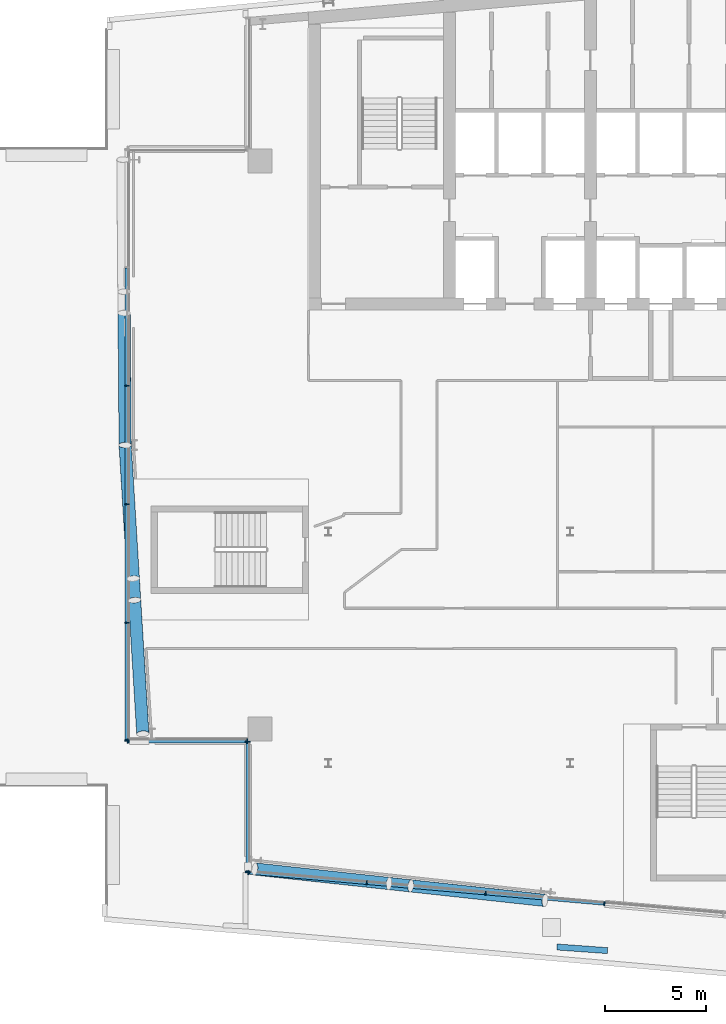
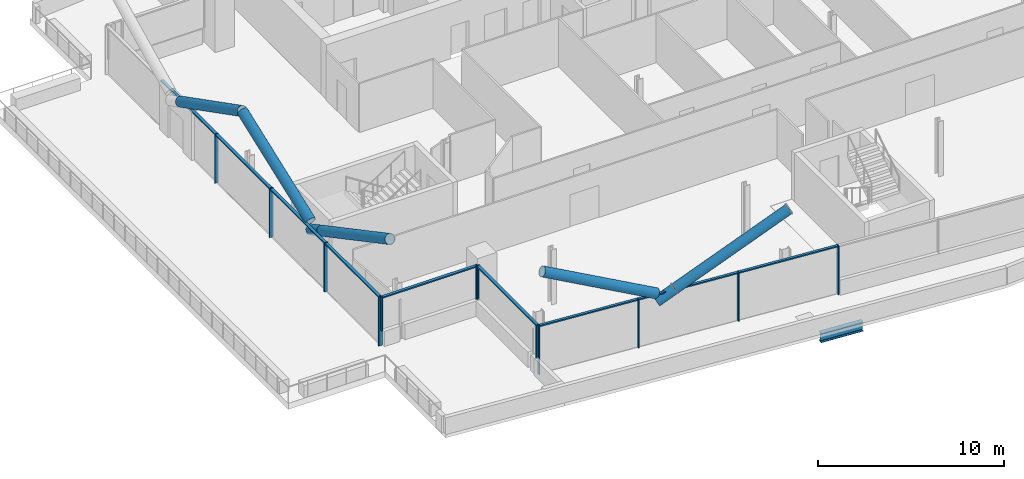
# One storey, part 5 of 27: 28 members, 1 beam, 4 elements without a shape of their own.
"""IFC4 building model written with IfcOpenShell, lengths in metres."""

from ifc_helpers import new_model, si_unit, direction, frame, origin, origin_2d, place, context, subcontext, project, spatial, rectangle, hollow_circle, i_section, extrude, material, material_profile, profile_set, type_object, element, aggregate, save


model = new_model("IFC4")

# Units and contexts
model_context = context("Model", 3, precision=1e-05, world=origin(), true_north=direction((0.0, 1.0)))
body_context = subcontext(model_context, "Body", "Model", "MODEL_VIEW")
ifc_project = project(units=[si_unit("LENGTHUNIT", "METRE"), si_unit("AREAUNIT", "SQUARE_METRE"), si_unit("VOLUMEUNIT", "CUBIC_METRE"), si_unit("PLANEANGLEUNIT", "RADIAN"), si_unit("MASSUNIT", "GRAM", prefix="KILO")], contexts=[model_context])

# Site, building, storey
site_placement = place(None, origin())
site = spatial("IfcSite", under=ifc_project, at=site_placement, CompositionType="ELEMENT")
building_placement = place(site_placement, origin())
building = spatial("IfcBuilding", under=site, at=building_placement, Name="Wharfspan Tower", CompositionType="ELEMENT")
storey_placement = place(building_placement, frame((0.0, 0.0, 207.100098)))
storey = spatial("IfcBuildingStorey", under=building, at=storey_placement, Name="L51", CompositionType="ELEMENT", Elevation=207.100098)

# Members
ifc_material_1 = material(Name="Steel S460NH", Category="steel")
ifc_material_profile_1 = material_profile(ifc_material_1, hollow_circle(Radius=0.304932, WallThickness=0.024902, at=origin_2d()))
ifc_profile_set_1 = profile_set([ifc_material_profile_1], Name="Steel S460NH")
member_type_1 = type_object("IfcMemberType", Name="Brace node tie CHS 610x25", PredefinedType="STRUT", material=ifc_profile_set_1)
member_1_placement = place(storey_placement, frame((27.014404, 5.527344, 2.633301), z_axis=(0.890134, -0.096457, 0.445373), x_axis=(0.107734, 0.994183, -4e-06)))
element("IfcMember", 1, at=member_1_placement, inside=storey, type_object=member_type_1, Name="Brace node tie L51 S1", PredefinedType="STRUT", context=body_context, shape_type="SweptSolid", body=[
    extrude(hollow_circle(Radius=0.304932, WallThickness=0.024902, at=origin_2d()), origin(), (0.0, 0.0, 1.0), 1.197266),
])
member_2_placement = place(storey_placement, frame((14.311523, 20.661621, 2.633789), z_axis=(0.054472, -0.892317, 0.448111), x_axis=(0.99814, 0.06093, -4e-06)))
element("IfcMember", 2, at=member_2_placement, inside=storey, type_object=member_type_1, Name="Brace node tie L51 W4", PredefinedType="STRUT", context=body_context, shape_type="SweptSolid", body=[
    extrude(hollow_circle(Radius=0.304932, WallThickness=0.024902, at=origin_2d()), origin(), (0.0, 0.0, 1.0), 1.187744),
])

# Beam
ifc_material_2 = material(Name="Steel S355J2", Category="steel")
ifc_material_profile_2 = material_profile(ifc_material_2, i_section(OverallWidth=0.300049, OverallDepth=0.600098, WebThickness=0.015381, FlangeThickness=0.030029, FilletRadius=0.0271, at=origin_2d()))
ifc_profile_set_2 = profile_set([ifc_material_profile_2], Name="Steel S355J2")
beam_type = type_object("IfcBeamType", Name="Edge beam HEB 600", PredefinedType="SPANDREL", material=ifc_profile_set_2)
beam_placement = place(storey_placement, frame((35.344482, 2.376709, -0.700195), z_axis=(0.997423, -0.07175, 0.0), x_axis=(0.07175, 0.997423, 0.0)))
element("IfcBeam", 3, at=beam_placement, inside=storey, type_object=beam_type, Name="Edge beam S1 L51 PS1.3.S to PS1.4.S", PredefinedType="SPANDREL", context=body_context, shape_type="SweptSolid", body=[
    extrude(i_section(OverallWidth=0.300049, OverallDepth=0.600098, WebThickness=0.015381, FlangeThickness=0.030029, FilletRadius=0.0271, at=origin_2d()), origin(), (0.0, 0.0, 1.0), 2.518066),
])

# Curtain wall, members
ifc_material_3 = material(Name="Aluminium 6063-T6", Category="aluminium")
curtain_wall_type_1 = type_object("IfcCurtainWallType", Name="CURTAIN WALL FACETED FRONT", PredefinedType="NOTDEFINED", material=ifc_material_3)
curtain_wall_1_placement = place(storey_placement, origin())
curtain_wall_1 = element("IfcCurtainWall", 4, at=curtain_wall_1_placement, inside=storey, type_object=curtain_wall_type_1, Name="Curtain wall S1", PredefinedType="NOTDEFINED")
ifc_material_profile_3 = material_profile(ifc_material_3, rectangle(XDim=0.199951, YDim=0.060059, at=origin_2d()))
ifc_profile_set_3 = profile_set([ifc_material_profile_3], Name="Aluminium 6063-T6")
member_type_2 = type_object("IfcMemberType", Name="MULLION FACETED FRONT 60x200", PredefinedType="MULLION", material=ifc_profile_set_3)
member_3_placement = place(storey_placement, frame((20.029785, 6.07251, 0.0), z_axis=(0.0, 0.0, 1.0), x_axis=(0.087156, 0.996197, 0.0)))
member_3 = element("IfcMember", 5, at=member_3_placement, type_object=member_type_2, Name="Curtain wall S1 mullion 1", PredefinedType="MULLION", context=body_context, shape_type="SweptSolid", body=[
    extrude(rectangle(XDim=0.199951, YDim=0.060059, at=origin_2d()), origin(), (0.0, 0.0, 1.0), 3.199951),
])
member_4_placement = place(storey_placement, frame((25.899902, 5.558838, 0.0), z_axis=(0.0, 0.0, 1.0), x_axis=(0.087156, 0.996197, 0.0)))
member_4 = element("IfcMember", 6, at=member_4_placement, type_object=member_type_2, Name="Curtain wall S1 mullion 2", PredefinedType="MULLION", context=body_context, shape_type="SweptSolid", body=[
    extrude(rectangle(XDim=0.199951, YDim=0.060059, at=origin_2d()), origin(), (0.0, 0.0, 1.0), 3.199951),
])
member_5_placement = place(storey_placement, frame((31.800049, 5.042725, 0.0), z_axis=(0.0, 0.0, 1.0), x_axis=(0.087156, 0.996197, 0.0)))
member_5 = element("IfcMember", 7, at=member_5_placement, type_object=member_type_2, Name="Curtain wall S1 mullion 3", PredefinedType="MULLION", context=body_context, shape_type="SweptSolid", body=[
    extrude(rectangle(XDim=0.199951, YDim=0.060059, at=origin_2d()), origin(), (0.0, 0.0, 1.0), 3.199951),
])
member_6_placement = place(storey_placement, frame((37.699951, 4.526611, 0.0), z_axis=(0.0, 0.0, 1.0), x_axis=(0.087156, 0.996197, 0.0)))
member_6 = element("IfcMember", 8, at=member_6_placement, type_object=member_type_2, Name="Curtain wall S1 mullion 4", PredefinedType="MULLION", context=body_context, shape_type="SweptSolid", body=[
    extrude(rectangle(XDim=0.199951, YDim=0.060059, at=origin_2d()), origin(), (0.0, 0.0, 1.0), 3.199951),
])

curtain_wall_type_2 = type_object("IfcCurtainWallType", Name="CURTAIN WALL PROW AND END", PredefinedType="NOTDEFINED", material=ifc_material_3)
curtain_wall_2_placement = place(storey_placement, origin())
curtain_wall_2 = element("IfcCurtainWall", 9, at=curtain_wall_2_placement, inside=storey, type_object=curtain_wall_type_2, Name="Curtain wall W", PredefinedType="NOTDEFINED")
ifc_material_profile_4 = material_profile(ifc_material_3, rectangle(XDim=0.23999, YDim=0.060059, at=origin_2d()))
ifc_profile_set_4 = profile_set([ifc_material_profile_4], Name="Aluminium 6063-T6")
member_type_3 = type_object("IfcMemberType", Name="MULLION PROW AND END 60x240", PredefinedType="MULLION", material=ifc_profile_set_4)
member_7_placement = place(storey_placement, frame((14.0, 30.23999, 0.0), z_axis=(0.0, 0.0, 1.0), x_axis=(1.0, 0.0, 0.0)))
member_7 = element("IfcMember", 10, at=member_7_placement, type_object=member_type_3, Name="Curtain wall W mullion 3", PredefinedType="MULLION", context=body_context, shape_type="SweptSolid", body=[
    extrude(rectangle(XDim=0.23999, YDim=0.060059, at=origin_2d()), origin(), (0.0, 0.0, 1.0), 3.199951),
])
member_8_placement = place(storey_placement, frame((14.0, 24.360107, 0.0), z_axis=(0.0, 0.0, 1.0), x_axis=(1.0, 0.0, 0.0)))
member_8 = element("IfcMember", 11, at=member_8_placement, type_object=member_type_3, Name="Curtain wall W mullion 4", PredefinedType="MULLION", context=body_context, shape_type="SweptSolid", body=[
    extrude(rectangle(XDim=0.23999, YDim=0.060059, at=origin_2d()), origin(), (0.0, 0.0, 1.0), 3.199951),
])
member_9_placement = place(storey_placement, frame((14.0, 18.47998, 0.0), z_axis=(0.0, 0.0, 1.0), x_axis=(1.0, 0.0, 0.0)))
member_9 = element("IfcMember", 12, at=member_9_placement, type_object=member_type_3, Name="Curtain wall W mullion 5", PredefinedType="MULLION", context=body_context, shape_type="SweptSolid", body=[
    extrude(rectangle(XDim=0.23999, YDim=0.060059, at=origin_2d()), origin(), (0.0, 0.0, 1.0), 3.199951),
])
member_10_placement = place(storey_placement, frame((14.0, 12.629883, 0.0), z_axis=(0.0, 0.0, 1.0), x_axis=(1.0, 0.0, 0.0)))
member_10 = element("IfcMember", 13, at=member_10_placement, type_object=member_type_3, Name="Curtain wall W mullion 6", PredefinedType="MULLION", context=body_context, shape_type="SweptSolid", body=[
    extrude(rectangle(XDim=0.23999, YDim=0.060059, at=origin_2d()), origin(), (0.0, 0.0, 1.0), 3.199951),
])

curtain_wall_3_placement = place(storey_placement, origin())
curtain_wall_3 = element("IfcCurtainWall", 14, at=curtain_wall_3_placement, inside=storey, type_object=curtain_wall_type_2, Name="Curtain wall NFW-H", PredefinedType="NOTDEFINED")
member_11_placement = place(storey_placement, frame((14.030029, 12.600098, 1.0), z_axis=(0.0, 0.0, 1.0), x_axis=(0.0, 1.0, 0.0)))
member_11 = element("IfcMember", 15, at=member_11_placement, type_object=member_type_3, Name="Curtain wall NFW-H mullion 1", PredefinedType="MULLION", context=body_context, shape_type="SweptSolid", body=[
    extrude(rectangle(XDim=0.23999, YDim=0.060059, at=origin_2d()), origin(), (0.0, 0.0, 1.0), 2.199951),
])
member_12_placement = place(storey_placement, frame((19.969971, 12.600098, 1.0), z_axis=(0.0, 0.0, 1.0), x_axis=(0.0, 1.0, 0.0)))
member_12 = element("IfcMember", 16, at=member_12_placement, type_object=member_type_3, Name="Curtain wall NFW-H mullion 2", PredefinedType="MULLION", context=body_context, shape_type="SweptSolid", body=[
    extrude(rectangle(XDim=0.23999, YDim=0.060059, at=origin_2d()), origin(), (0.0, 0.0, 1.0), 2.199951),
])

curtain_wall_4_placement = place(storey_placement, origin())
curtain_wall_4 = element("IfcCurtainWall", 17, at=curtain_wall_4_placement, inside=storey, type_object=curtain_wall_type_2, Name="Curtain wall NFW-V", PredefinedType="NOTDEFINED")
member_13_placement = place(storey_placement, frame((20.0, 12.570068, 1.0), z_axis=(0.0, 0.0, 1.0), x_axis=(1.0, 0.0, 0.0)))
member_13 = element("IfcMember", 18, at=member_13_placement, type_object=member_type_3, Name="Curtain wall NFW-V mullion 1", PredefinedType="MULLION", context=body_context, shape_type="SweptSolid", body=[
    extrude(rectangle(XDim=0.23999, YDim=0.060059, at=origin_2d()), origin(), (0.0, 0.0, 1.0), 2.199951),
])
member_14_placement = place(storey_placement, frame((20.0, 6.10498, 1.0), z_axis=(0.0, 0.0, 1.0), x_axis=(1.0, 0.0, 0.0)))
member_14 = element("IfcMember", 19, at=member_14_placement, type_object=member_type_3, Name="Curtain wall NFW-V mullion 2", PredefinedType="MULLION", context=body_context, shape_type="SweptSolid", body=[
    extrude(rectangle(XDim=0.23999, YDim=0.060059, at=origin_2d()), origin(), (0.0, 0.0, 1.0), 2.199951),
])

# Members
ifc_material_profile_5 = material_profile(ifc_material_1, hollow_circle(Radius=0.304932, WallThickness=0.024902, at=origin_2d()))
ifc_profile_set_5 = profile_set([ifc_material_profile_5], Name="Steel S460NH")
member_type_4 = type_object("IfcMemberType", Name="Mega brace CHS 610x25", PredefinedType="BRACE", material=ifc_profile_set_5)
for number, where, z_axis, x_axis, name in (
    (20, (28.088867, 5.410889, 3.170898), (0.890113, -0.096459, 0.445416), (0.107734, 0.994176, 4e-06), "Mega brace S1 L51 part 2"),
    (21, (27.005371, 5.52832, 3.170898), (-0.890113, 0.096459, 0.445416), (-0.107734, -0.994176, 4e-06), "Mega brace S1 L51 part 4"),
):
    element("IfcMember", number, at=place(storey_placement, frame(where, z_axis=z_axis, x_axis=x_axis)), inside=storey, type_object=member_type_4, Name=name, PredefinedType="BRACE", context=body_context, shape_type="SweptSolid", body=[
        extrude(hollow_circle(Radius=0.304932, WallThickness=0.024902, at=origin_2d()), origin(), (0.0, 0.0, 1.0), 7.474121),
    ])
member_15_placement = place(storey_placement, frame((13.853271, 33.849121, 3.169678), z_axis=(0.007044, -0.891347, 0.453266), x_axis=(0.999973, 0.007904, 3e-06)))
element("IfcMember", 22, at=member_15_placement, inside=storey, type_object=member_type_4, Name="Mega brace W3 L51 part 2", PredefinedType="BRACE", context=body_context, shape_type="SweptSolid", body=[
    extrude(hollow_circle(Radius=0.304932, WallThickness=0.024902, at=origin_2d()), origin(), (0.0, 0.0, 1.0), 7.347412),
])
for number, where, z_axis, x_axis, name in (
    (23, (14.376953, 19.592773, 3.170654), (0.054615, -0.892302, 0.448123), (0.998132, 0.061091, -3e-06), "Mega brace W4 L51 part 2"),
    (24, (14.310791, 20.670654, 3.170654), (-0.054615, 0.892302, 0.448123), (-0.998132, -0.061091, -3e-06), "Mega brace W4 L51 part 4"),
):
    element("IfcMember", number, at=place(storey_placement, frame(where, z_axis=z_axis, x_axis=x_axis)), inside=storey, type_object=member_type_4, Name=name, PredefinedType="BRACE", context=body_context, shape_type="SweptSolid", body=[
        extrude(hollow_circle(Radius=0.304932, WallThickness=0.024902, at=origin_2d()), origin(), (0.0, 0.0, 1.0), 7.429443),
    ])

# Member
ifc_material_profile_6 = material_profile(ifc_material_3, rectangle(XDim=0.159912, YDim=0.080078, at=origin_2d()))
ifc_profile_set_6 = profile_set([ifc_material_profile_6], Name="Aluminium 6063-T6")
member_type_5 = type_object("IfcMemberType", Name="TRANSOM FACETED FRONT 80x160", PredefinedType="USERDEFINED", material=ifc_profile_set_6)
member_16_placement = place(storey_placement, frame((20.059814, 6.069824, 3.159912), z_axis=(0.996195, -0.08715, 0.0), x_axis=(0.08715, 0.996195, 0.0)))
member_16 = element("IfcMember", 25, at=member_16_placement, type_object=member_type_5, Name="Curtain wall S1 transom 1", ObjectType="TRANSOM", PredefinedType="USERDEFINED", context=body_context, shape_type="SweptSolid", body=[
    extrude(rectangle(XDim=0.159912, YDim=0.080078, at=origin_2d()), origin(), (0.0, 0.0, 1.0), 5.83252),
])

member_17_placement = place(storey_placement, frame((25.929932, 5.556152, 3.159912), z_axis=(0.996198, -0.087122, 0.0), x_axis=(0.087122, 0.996198, 0.0)))
member_17 = element("IfcMember", 26, at=member_17_placement, type_object=member_type_5, Name="Curtain wall S1 transom 2", ObjectType="TRANSOM", PredefinedType="USERDEFINED", context=body_context, shape_type="SweptSolid", body=[
    extrude(rectangle(XDim=0.159912, YDim=0.080078, at=origin_2d()), origin(), (0.0, 0.0, 1.0), 5.862305),
])

member_18_placement = place(storey_placement, frame((31.829834, 5.040039, 3.159912), z_axis=(0.996194, -0.08716, 0.0), x_axis=(0.08716, 0.996194, 0.0)))
member_18 = element("IfcMember", 27, at=member_18_placement, type_object=member_type_5, Name="Curtain wall S1 transom 3", ObjectType="TRANSOM", PredefinedType="USERDEFINED", context=body_context, shape_type="SweptSolid", body=[
    extrude(rectangle(XDim=0.159912, YDim=0.080078, at=origin_2d()), origin(), (0.0, 0.0, 1.0), 5.862549),
])

aggregate(curtain_wall_1, [member_3, member_4, member_5, member_6, member_16, member_17, member_18])

ifc_material_profile_7 = material_profile(ifc_material_3, rectangle(XDim=0.179932, YDim=0.080078, at=origin_2d()))
ifc_profile_set_7 = profile_set([ifc_material_profile_7], Name="Aluminium 6063-T6")
member_type_6 = type_object("IfcMemberType", Name="TRANSOM PROW AND END 80x180", PredefinedType="USERDEFINED", material=ifc_profile_set_7)
member_19_placement = place(storey_placement, frame((14.0, 36.090088, 3.159912), z_axis=(0.0, -1.0, 0.0), x_axis=(1.0, 0.0, 0.0)))
member_19 = element("IfcMember", 28, at=member_19_placement, type_object=member_type_6, Name="Curtain wall W transom 2", ObjectType="TRANSOM", PredefinedType="USERDEFINED", context=body_context, shape_type="SweptSolid", body=[
    extrude(rectangle(XDim=0.179932, YDim=0.080078, at=origin_2d()), origin(), (0.0, 0.0, 1.0), 5.820068),
])

member_20_placement = place(storey_placement, frame((14.0, 30.209961, 3.159912), z_axis=(0.0, -1.0, 0.0), x_axis=(1.0, 0.0, 0.0)))
member_20 = element("IfcMember", 29, at=member_20_placement, type_object=member_type_6, Name="Curtain wall W transom 3", ObjectType="TRANSOM", PredefinedType="USERDEFINED", context=body_context, shape_type="SweptSolid", body=[
    extrude(rectangle(XDim=0.179932, YDim=0.080078, at=origin_2d()), origin(), (0.0, 0.0, 1.0), 5.820068),
])

member_21_placement = place(storey_placement, frame((14.0, 24.330078, 3.159912), z_axis=(0.0, -1.0, 0.0), x_axis=(1.0, 0.0, 0.0)))
member_21 = element("IfcMember", 30, at=member_21_placement, type_object=member_type_6, Name="Curtain wall W transom 4", ObjectType="TRANSOM", PredefinedType="USERDEFINED", context=body_context, shape_type="SweptSolid", body=[
    extrude(rectangle(XDim=0.179932, YDim=0.080078, at=origin_2d()), origin(), (0.0, 0.0, 1.0), 5.820068),
])

member_22_placement = place(storey_placement, frame((14.0, 18.449951, 3.159912), z_axis=(0.0, -1.0, 0.0), x_axis=(1.0, 0.0, 0.0)))
member_22 = element("IfcMember", 31, at=member_22_placement, type_object=member_type_6, Name="Curtain wall W transom 5", ObjectType="TRANSOM", PredefinedType="USERDEFINED", context=body_context, shape_type="SweptSolid", body=[
    extrude(rectangle(XDim=0.179932, YDim=0.080078, at=origin_2d()), origin(), (0.0, 0.0, 1.0), 5.790039),
])

aggregate(curtain_wall_2, [member_7, member_8, member_9, member_10, member_19, member_20, member_21, member_22])

member_23_placement = place(storey_placement, frame((14.060059, 12.600098, 3.159912), z_axis=(1.0, 0.0, 0.0), x_axis=(0.0, 1.0, 0.0)))
member_23 = element("IfcMember", 32, at=member_23_placement, type_object=member_type_6, Name="Curtain wall NFW-H transom 1", ObjectType="TRANSOM", PredefinedType="USERDEFINED", context=body_context, shape_type="SweptSolid", body=[
    extrude(rectangle(XDim=0.179932, YDim=0.080078, at=origin_2d()), origin(), (0.0, 0.0, 1.0), 5.879883),
])

aggregate(curtain_wall_3, [member_11, member_12, member_23])

member_24_placement = place(storey_placement, frame((20.0, 12.540039, 3.159912), z_axis=(0.0, -1.0, 0.0), x_axis=(1.0, 0.0, 0.0)))
member_24 = element("IfcMember", 33, at=member_24_placement, type_object=member_type_6, Name="Curtain wall NFW-V transom 1", ObjectType="TRANSOM", PredefinedType="USERDEFINED", context=body_context, shape_type="SweptSolid", body=[
    extrude(rectangle(XDim=0.179932, YDim=0.080078, at=origin_2d()), origin(), (0.0, 0.0, 1.0), 6.405029),
])

aggregate(curtain_wall_4, [member_13, member_14, member_24])

save(model, "model.ifc")
